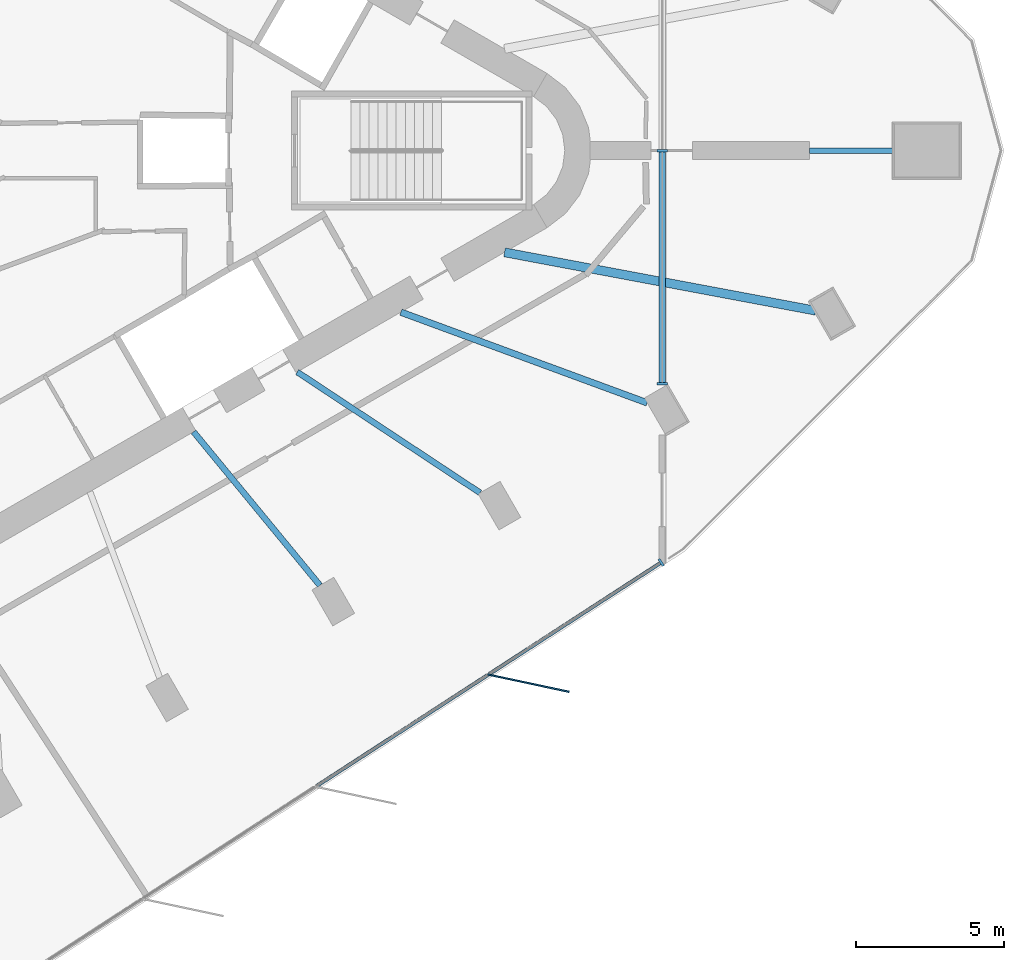
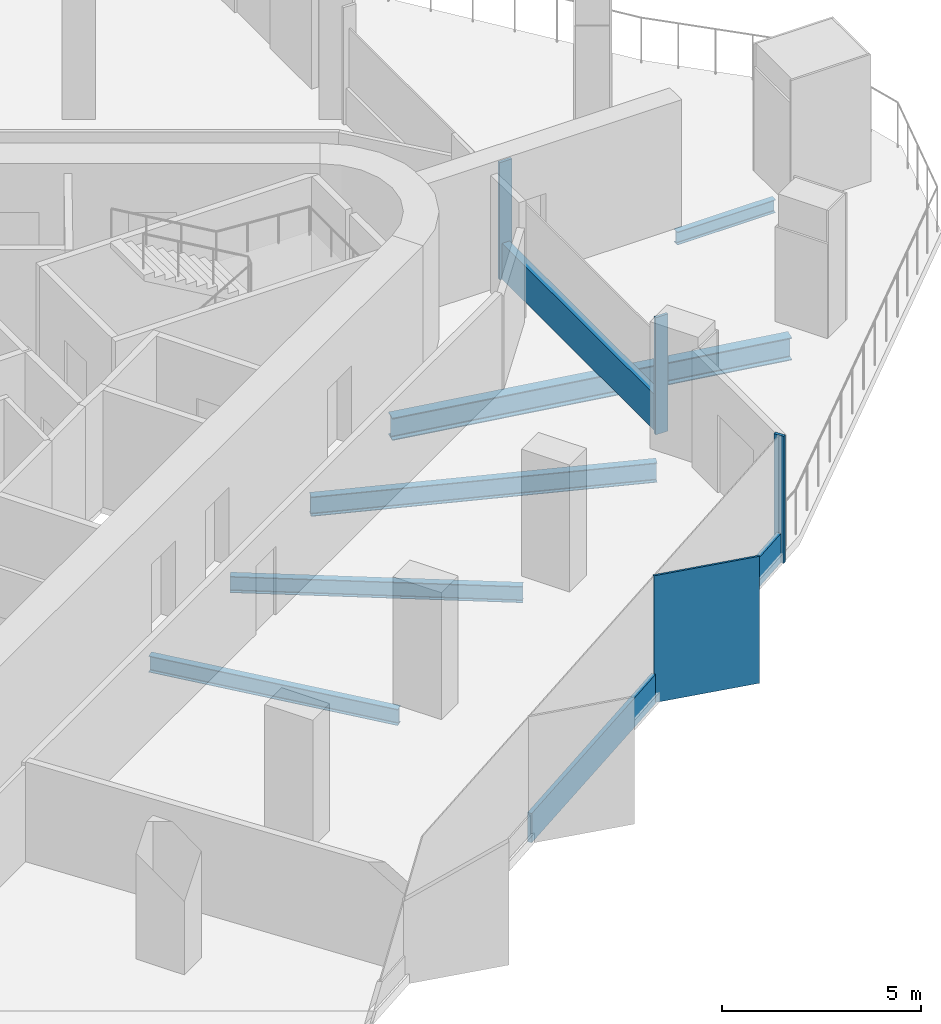
# One storey, part 3 of 12: 7 members, 5 beams, 2 elements without a shape of their own.
"""IFC4 building model written with IfcOpenShell, lengths in metres."""

from ifc_helpers import new_model, si_unit, direction, frame, origin, origin_2d, place, context, subcontext, project, spatial, rectangle, i_section, extrude, material, material_profile, profile_set, type_object, element, aggregate, save


model = new_model("IFC4")

# Units and contexts
model_context = context("Model", 3, precision=1e-05, world=origin(), true_north=direction((0.0, 1.0)))
body_context = subcontext(model_context, "Body", "Model", "MODEL_VIEW")
ifc_project = project(units=[si_unit("LENGTHUNIT", "METRE"), si_unit("AREAUNIT", "SQUARE_METRE"), si_unit("VOLUMEUNIT", "CUBIC_METRE"), si_unit("PLANEANGLEUNIT", "RADIAN"), si_unit("MASSUNIT", "GRAM", prefix="KILO")], contexts=[model_context])

# Site, building, storey
site_placement = place(None, origin())
site = spatial("IfcSite", under=ifc_project, at=site_placement, CompositionType="ELEMENT")
building_placement = place(site_placement, origin())
building = spatial("IfcBuilding", under=site, at=building_placement, Name="Tanit Gate Tower", CompositionType="ELEMENT")
storey_placement = place(building_placement, frame((0.0, 0.0, 361.10009765625)))
storey = spatial("IfcBuildingStorey", under=building, at=storey_placement, Name="L82", CompositionType="ELEMENT", Elevation=361.10009765625)

# Curtain wall, members
ifc_material_1 = material(Name="Aluminium bronze anodised and glass", Category="aluminium")
curtain_wall_type_1 = type_object("IfcCurtainWallType", Name="Curtain wall typical high", PredefinedType="NOTDEFINED", material=ifc_material_1)
curtain_wall_1_placement = place(storey_placement, origin())
curtain_wall_1 = element("IfcCurtainWall", 1, at=curtain_wall_1_placement, inside=storey, type_object=curtain_wall_type_1, Name="Curtain wall L82 SE2c", PredefinedType="NOTDEFINED")
ifc_material_2 = material(Name="Aluminium bronze anodised", Category="aluminium")
ifc_material_profile_1 = material_profile(ifc_material_2, rectangle(XDim=2.800048828125, YDim=0.055908203125, at=origin_2d()), Name="56x2800 bronze fin mullion")
ifc_profile_set_1 = profile_set([ifc_material_profile_1], Name="Aluminium bronze anodised")
member_type_1 = type_object("IfcMemberType", Name="FIN MULLION 56x2800 bronze", PredefinedType="MULLION", material=ifc_profile_set_1)
member_1_placement = place(storey_placement, frame((19.074951171875, -17.936279296875, -0.300048828125), z_axis=(0.0, 0.0, 1.0), x_axis=(-0.978049407445, 0.208373118697, 0.0)))
member_1 = element("IfcMember", 2, at=member_1_placement, type_object=member_type_1, Name="Fin mullion L82 SE2c.4", PredefinedType="MULLION", context=body_context, shape_type="SweptSolid", body=[
    extrude(rectangle(XDim=2.800048828125, YDim=0.055908203125, at=origin_2d()), origin(), (0.0, 0.0, 1.0), 3.89990234375),
])
ifc_material_3 = material(Name="Aluminium bronze anodised", Category="aluminium")
ifc_material_profile_2 = material_profile(ifc_material_3, rectangle(XDim=0.280029296875, YDim=0.080078125, at=origin_2d()), Name="80x280 bronze mullion")
ifc_profile_set_2 = profile_set([ifc_material_profile_2], Name="Aluminium bronze anodised")
member_type_2 = type_object("IfcMemberType", Name="Mullion 80x280 typical high", PredefinedType="MULLION", material=ifc_profile_set_2)
member_2_placement = place(storey_placement, frame((23.546875, -13.871826171875, -0.300048828125), z_axis=(0.0, 0.0, 1.0), x_axis=(-0.544243323092, 0.838927413588, 0.0)))
member_2 = element("IfcMember", 3, at=member_2_placement, type_object=member_type_2, Name="Mullion L82 SE2c.5", PredefinedType="MULLION", context=body_context, shape_type="SweptSolid", body=[
    extrude(rectangle(XDim=0.280029296875, YDim=0.080078125, at=origin_2d()), origin(), (0.0, 0.0, 1.0), 3.89990234375),
])

ifc_material_4 = material(Name="Aluminium bronze anodised and glass", Category="aluminium")
curtain_wall_type_2 = type_object("IfcCurtainWallType", Name="Curtain wall portal glazing", PredefinedType="NOTDEFINED", material=ifc_material_4)
curtain_wall_2_placement = place(storey_placement, origin())
curtain_wall_2 = element("IfcCurtainWall", 4, at=curtain_wall_2_placement, inside=storey, type_object=curtain_wall_type_2, Name="Curtain wall L82 NOTCH2", PredefinedType="NOTDEFINED")
ifc_material_5 = material(Name="Aluminium bronze anodised", Category="aluminium")
ifc_material_profile_3 = material_profile(ifc_material_5, rectangle(XDim=0.360107421875, YDim=0.080078125, at=origin_2d()), Name="80x360 bronze mullion")
ifc_profile_set_3 = profile_set([ifc_material_profile_3], Name="Aluminium bronze anodised")
member_type_3 = type_object("IfcMemberType", Name="Mullion 80x360 portal glazing", PredefinedType="MULLION", material=ifc_profile_set_3)
member_3_placement = place(storey_placement, frame((23.580078125, 0.0, 0.0), z_axis=(0.0, 0.0, 1.0), x_axis=(1.0, 0.0, 0.0)))
member_3 = element("IfcMember", 5, at=member_3_placement, type_object=member_type_3, Name="Mullion L82 NOTCH2.2", PredefinedType="MULLION", context=body_context, shape_type="SweptSolid", body=[
    extrude(rectangle(XDim=0.360107421875, YDim=0.080078125, at=origin_2d()), origin(), (0.0, 0.0, 1.0), 3.599853515625),
])
member_4_placement = place(storey_placement, frame((23.580078125, -7.853271484375, 0.0), z_axis=(0.0, 0.0, 1.0), x_axis=(1.0, 0.0, 0.0)))
member_4 = element("IfcMember", 6, at=member_4_placement, type_object=member_type_3, Name="Mullion L82 NOTCH2.3", PredefinedType="MULLION", context=body_context, shape_type="SweptSolid", body=[
    extrude(rectangle(XDim=0.360107421875, YDim=0.080078125, at=origin_2d()), origin(), (0.0, 0.0, 1.0), 3.599853515625),
])

# Beams
ifc_material_6 = material(Name="Steel S355", Category="steel")
ifc_material_profile_4 = material_profile(ifc_material_6, i_section(OverallWidth=0.300048828125, OverallDepth=0.68994140625, WebThickness=0.014404296875, FlangeThickness=0.027099609375, FilletRadius=0.027099609375, at=origin_2d()), Name="HEA 700")
ifc_profile_set_4 = profile_set([ifc_material_profile_4], Name="Steel S355")
beam_type_1 = type_object("IfcBeamType", Name="RADIAL GIRDER HEA 700 S355", PredefinedType="BEAM", material=ifc_profile_set_4)
beam_1_placement = place(storey_placement, frame((28.745361328125, -5.390869140625, -0.64501953125), z_axis=(-0.982865703548, 0.184323109754, 0.0), x_axis=(-0.184323109754, -0.982865703548, 0.0)))
element("IfcBeam", 7, at=beam_1_placement, inside=storey, type_object=beam_type_1, Name="RADIAL GIRDER", PredefinedType="BEAM", context=body_context, shape_type="SweptSolid", body=[
    extrude(i_section(OverallWidth=0.300048828125, OverallDepth=0.68994140625, WebThickness=0.014404296875, FlangeThickness=0.027099609375, FilletRadius=0.027099609375, at=origin_2d()), origin(), (0.0, 0.0, 1.0), 10.658447265625),
])
ifc_material_7 = material(Name="Steel S355", Category="steel")
ifc_material_profile_5 = material_profile(ifc_material_7, i_section(OverallWidth=0.179931640625, OverallDepth=0.39990234375, WebThickness=0.008544921875, FlangeThickness=0.013427734375, FilletRadius=0.02099609375, at=origin_2d()), Name="IPE 400")
ifc_profile_set_5 = profile_set([ifc_material_profile_5], Name="Steel S355")
beam_type_2 = type_object("IfcBeamType", Name="RADIAL GIRDER IPE 400 S355", PredefinedType="BEAM", material=ifc_profile_set_5)
beam_2_placement = place(storey_placement, frame((31.3916015625, 0.0, -0.5), z_axis=(-1.0, 0.0, 0.0), x_axis=(0.0, -1.0, 0.0)))
element("IfcBeam", 8, at=beam_2_placement, inside=storey, type_object=beam_type_2, Name="RADIAL GIRDER", PredefinedType="BEAM", context=body_context, shape_type="SweptSolid", body=[
    extrude(i_section(OverallWidth=0.179931640625, OverallDepth=0.39990234375, WebThickness=0.008544921875, FlangeThickness=0.013427734375, FilletRadius=0.02099609375, at=origin_2d()), origin(), (0.0, 0.0, 1.0), 2.853759765625),
])
ifc_material_8 = material(Name="Steel S355", Category="steel")
ifc_material_profile_6 = material_profile(ifc_material_8, i_section(OverallWidth=0.199951171875, OverallDepth=0.5, WebThickness=0.01025390625, FlangeThickness=0.01611328125, FilletRadius=0.02099609375, at=origin_2d()), Name="IPE 500")
ifc_profile_set_6 = profile_set([ifc_material_profile_6], Name="Steel S355")
beam_type_3 = type_object("IfcBeamType", Name="RADIAL GIRDER IPE 500 S355", PredefinedType="BEAM", material=ifc_profile_set_6)
beam_3_placement = place(storey_placement, frame((12.05078125, -14.64208984375, -0.550048828125), z_axis=(-0.63547714301, 0.772119680303, 0.0), x_axis=(-0.772119680303, -0.63547714301, 0.0)))
element("IfcBeam", 9, at=beam_3_placement, inside=storey, type_object=beam_type_3, Name="RADIAL GIRDER", PredefinedType="BEAM", context=body_context, shape_type="SweptSolid", body=[
    extrude(i_section(OverallWidth=0.199951171875, OverallDepth=0.5, WebThickness=0.01025390625, FlangeThickness=0.01611328125, FilletRadius=0.02099609375, at=origin_2d()), origin(), (0.0, 0.0, 1.0), 6.69482421875),
])
beam_4_placement = place(storey_placement, frame((17.447021484375, -11.526611328125, -0.550048828125), z_axis=(-0.834352975329, 0.551230543929, 0.0), x_axis=(-0.551230543929, -0.834352975329, 0.0)))
element("IfcBeam", 10, at=beam_4_placement, inside=storey, type_object=beam_type_3, Name="RADIAL GIRDER", PredefinedType="BEAM", context=body_context, shape_type="SweptSolid", body=[
    extrude(i_section(OverallWidth=0.199951171875, OverallDepth=0.5, WebThickness=0.01025390625, FlangeThickness=0.01611328125, FilletRadius=0.02099609375, at=origin_2d()), origin(), (0.0, 0.0, 1.0), 7.38232421875),
])
ifc_material_9 = material(Name="Steel S355", Category="steel")
ifc_material_profile_7 = material_profile(ifc_material_9, i_section(OverallWidth=0.219970703125, OverallDepth=0.60009765625, WebThickness=0.011962890625, FlangeThickness=0.01904296875, FilletRadius=0.02392578125, at=origin_2d()), Name="IPE 600")
ifc_profile_set_7 = profile_set([ifc_material_profile_7], Name="Steel S355")
beam_type_4 = type_object("IfcBeamType", Name="RADIAL GIRDER IPE 600 S355", PredefinedType="BEAM", material=ifc_profile_set_7)
beam_5_placement = place(storey_placement, frame((23.074462890625, -8.49658203125, -0.60009765625), z_axis=(-0.938405339551, 0.345536421673, 0.0), x_axis=(-0.345536421673, -0.938405339551, 0.0)))
element("IfcBeam", 11, at=beam_5_placement, inside=storey, type_object=beam_type_4, Name="RADIAL GIRDER", PredefinedType="BEAM", context=body_context, shape_type="SweptSolid", body=[
    extrude(i_section(OverallWidth=0.219970703125, OverallDepth=0.60009765625, WebThickness=0.011962890625, FlangeThickness=0.01904296875, FilletRadius=0.02392578125, at=origin_2d()), origin(), (0.0, 0.0, 1.0), 8.84033203125),
])

# Member
ifc_material_10 = material(Name="Aluminium bronze anodised", Category="aluminium")
ifc_material_profile_8 = material_profile(ifc_material_10, rectangle(XDim=0.1201171875, YDim=0.89990234375, at=origin_2d()), Name="120x900 bronze transom")
ifc_profile_set_8 = profile_set([ifc_material_profile_8], Name="Aluminium bronze anodised")
member_type_4 = type_object("IfcMemberType", Name="Transom 120x900 typical high", PredefinedType="USERDEFINED", material=ifc_profile_set_8)
member_5_placement = place(storey_placement, frame((11.936767578125, -21.40380859375, 0.14990234375), z_axis=(0.838917367281, 0.544258808725, 0.0), x_axis=(-0.544258808725, 0.838917367281, 0.0)))
member_5 = element("IfcMember", 12, at=member_5_placement, type_object=member_type_4, Name="Transom L82 SE2c.3", ObjectType="TRANSOM", PredefinedType="USERDEFINED", context=body_context, shape_type="SweptSolid", body=[
    extrude(rectangle(XDim=0.1201171875, YDim=0.89990234375, at=origin_2d()), origin(), (0.0, 0.0, 1.0), 6.859619140625),
])

member_6_placement = place(storey_placement, frame((17.758544921875, -17.626953125, 0.14990234375), z_axis=(0.838927909515, 0.544242558642, 0.0), x_axis=(-0.544242558642, 0.838927909515, 0.0)))
member_6 = element("IfcMember", 13, at=member_6_placement, type_object=member_type_4, Name="Transom L82 SE2c.4", ObjectType="TRANSOM", PredefinedType="USERDEFINED", context=body_context, shape_type="SweptSolid", body=[
    extrude(rectangle(XDim=0.1201171875, YDim=0.89990234375, at=origin_2d()), origin(), (0.0, 0.0, 1.0), 6.85986328125),
])

aggregate(curtain_wall_1, [member_1, member_2, member_5, member_6])

ifc_material_11 = material(Name="Aluminium bronze anodised", Category="aluminium")
ifc_material_profile_9 = material_profile(ifc_material_11, rectangle(XDim=0.219970703125, YDim=1.10009765625, at=origin_2d()), Name="220x1100 bronze transom")
ifc_profile_set_9 = profile_set([ifc_material_profile_9], Name="Aluminium bronze anodised")
member_type_5 = type_object("IfcMemberType", Name="Transom 220x1100 portal glazing", PredefinedType="USERDEFINED", material=ifc_profile_set_9)
member_7_placement = place(storey_placement, frame((23.580078125, -0.0400390625, 0.5498046875), z_axis=(0.0, -1.0, 0.0), x_axis=(1.0, 0.0, 0.0)))
member_7 = element("IfcMember", 14, at=member_7_placement, type_object=member_type_5, Name="Transom L82 NOTCH2.2", ObjectType="TRANSOM", PredefinedType="USERDEFINED", context=body_context, shape_type="SweptSolid", body=[
    extrude(rectangle(XDim=0.219970703125, YDim=1.10009765625, at=origin_2d()), origin(), (0.0, 0.0, 1.0), 7.7734375),
])

aggregate(curtain_wall_2, [member_3, member_4, member_7])

save(model, "model.ifc")
